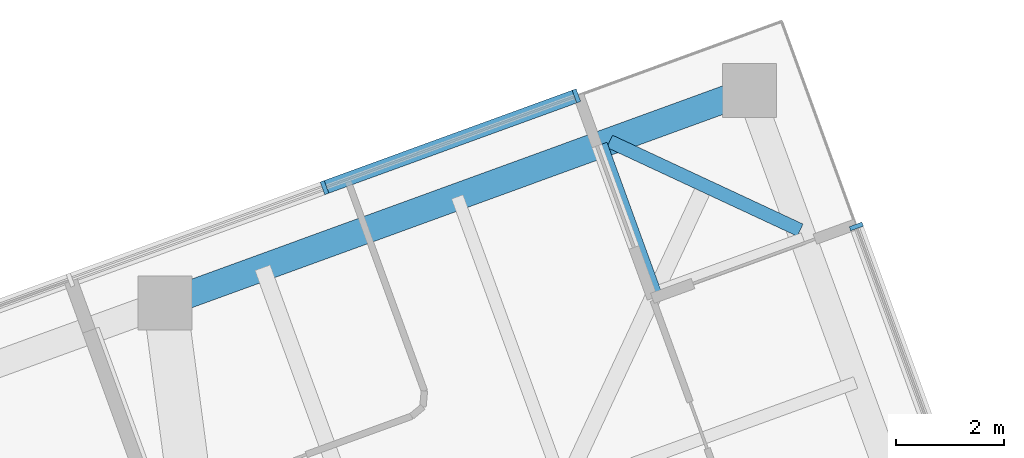
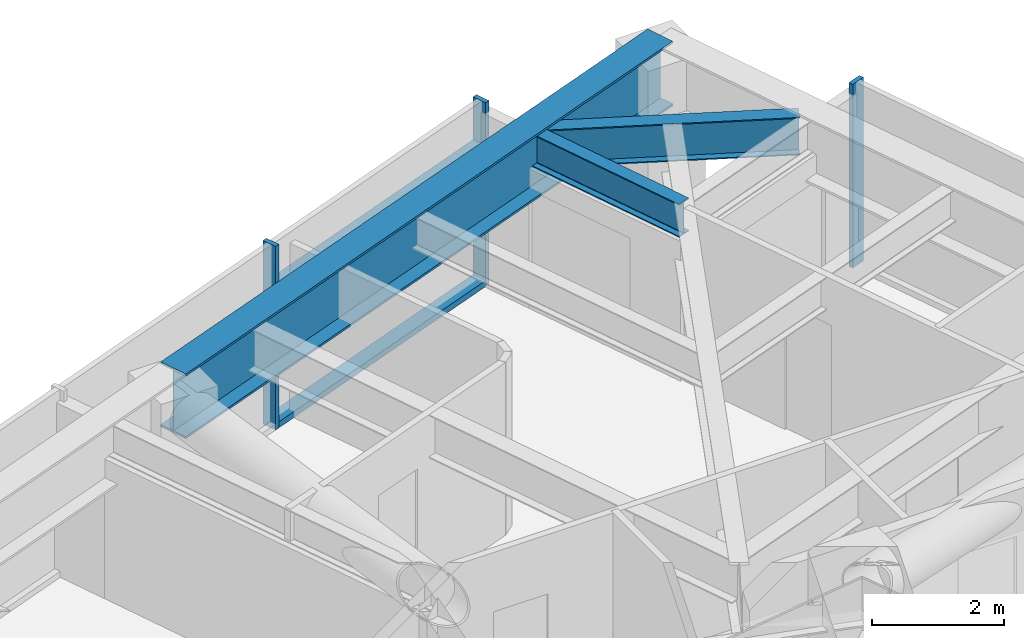
# One storey, part 7 of 16: 5 members, 3 beams, 2 elements without a shape of their own.
"""IFC4 building model written with IfcOpenShell, lengths in metres."""

from ifc_helpers import new_model, si_unit, direction, frame, origin, origin_2d, place, context, subcontext, project, spatial, rectangle, i_section, extrude, material, material_profile, profile_set, type_object, element, aggregate, save


model = new_model("IFC4")

# Units and contexts
model_context = context("Model", 3, precision=1e-05, world=origin(), true_north=direction((0.0, 1.0)))
body_context = subcontext(model_context, "Body", "Model", "MODEL_VIEW")
ifc_project = project(units=[si_unit("LENGTHUNIT", "METRE"), si_unit("AREAUNIT", "SQUARE_METRE"), si_unit("VOLUMEUNIT", "CUBIC_METRE"), si_unit("PLANEANGLEUNIT", "RADIAN"), si_unit("MASSUNIT", "GRAM", prefix="KILO")], contexts=[model_context])

# Site, building, storey
site_placement = place(None, origin())
site = spatial("IfcSite", under=ifc_project, at=site_placement, CompositionType="ELEMENT")
building_placement = place(site_placement, origin())
building = spatial("IfcBuilding", under=site, at=building_placement, Name="Torsade Residences", CompositionType="ELEMENT")
storey_placement = place(building_placement, frame((0.0, 0.0, 167.60009765625)))
storey = spatial("IfcBuildingStorey", under=building, at=storey_placement, Name="L46", CompositionType="ELEMENT", Elevation=167.60009765625)

# Beam
ifc_material_1 = material(Name="Steel grade 300", Category="steel")
ifc_material_profile_1 = material_profile(ifc_material_1, i_section(OverallWidth=0.25, OverallDepth=0.699951171875, WebThickness=0.010009765625, FlangeThickness=0.02001953125, at=origin_2d()), Name="700WB130")
ifc_profile_set_1 = profile_set([ifc_material_profile_1], Name="Steel grade 300")
beam_type_1 = type_object("IfcBeamType", Name="CORNER TRIMMER 700WB130", PredefinedType="BEAM", material=ifc_profile_set_1)
beam_1_placement = place(storey_placement, frame((51.162353515625, 58.538818359375, 2.849853515625), z_axis=(0.906309798645, -0.422613947806, 0.0), x_axis=(0.422613947806, 0.906309798645, 0.0)))
element("IfcBeam", 1, at=beam_1_placement, inside=storey, type_object=beam_type_1, Name="Corner trimmer 09 L47", PredefinedType="BEAM", context=body_context, shape_type="SweptSolid", body=[
    extrude(i_section(OverallWidth=0.25, OverallDepth=0.699951171875, WebThickness=0.010009765625, FlangeThickness=0.02001953125, at=origin_2d()), origin(), (0.0, 0.0, 1.0), 3.888916015625),
])

# Curtain wall, member
ifc_material_2 = material(Name="Aluminium and glass", Category="aluminium")
curtain_wall_type = type_object("IfcCurtainWallType", Name="FRITTED GLASS CURTAIN WALL MID ZONE", PredefinedType="NOTDEFINED", material=ifc_material_2)
curtain_wall_1_placement = place(storey_placement, origin())
curtain_wall_1 = element("IfcCurtainWall", 2, at=curtain_wall_1_placement, inside=storey, type_object=curtain_wall_type, Name="Curtain wall L46 face 4", PredefinedType="NOTDEFINED")
ifc_material_3 = material(Name="Aluminium mullion", Category="aluminium")
ifc_material_profile_2 = material_profile(ifc_material_3, rectangle(XDim=0.25, YDim=0.080078125, at=origin_2d()), Name="MID ZONE CURTAIN WALL MULLION 250x80")
ifc_profile_set_2 = profile_set([ifc_material_profile_2], Name="Aluminium mullion")
member_type_1 = type_object("IfcMemberType", Name="MID ZONE CURTAIN WALL MULLION 250x80", PredefinedType="MULLION", material=ifc_profile_set_2)
member_1_placement = place(storey_placement, frame((55.725830078125, 56.96484375, 0.0), z_axis=(0.0, 0.0, 1.0), x_axis=(-0.939692619132, -0.342020147869, 0.0)))
member_1 = element("IfcMember", 3, at=member_1_placement, type_object=member_type_1, Name="Mullion 9", PredefinedType="MULLION", context=body_context, shape_type="SweptSolid", body=[
    extrude(rectangle(XDim=0.25, YDim=0.080078125, at=origin_2d()), origin(), (0.0, 0.0, 1.0), 3.39990234375),
])
aggregate(curtain_wall_1, [member_1])

# Curtain wall, members
curtain_wall_2_placement = place(storey_placement, origin())
curtain_wall_2 = element("IfcCurtainWall", 4, at=curtain_wall_2_placement, inside=storey, type_object=curtain_wall_type, Name="Curtain wall L46 face 7", PredefinedType="NOTDEFINED")
member_2_placement = place(storey_placement, frame((50.5478515625, 59.37939453125, 0.0), z_axis=(0.0, 0.0, 1.0), x_axis=(0.342020147869, -0.939692619132, 0.0)))
member_2 = element("IfcMember", 5, at=member_2_placement, type_object=member_type_1, Name="Mullion 1", PredefinedType="MULLION", context=body_context, shape_type="SweptSolid", body=[
    extrude(rectangle(XDim=0.25, YDim=0.080078125, at=origin_2d()), origin(), (0.0, 0.0, 1.0), 3.39990234375),
])
member_3_placement = place(storey_placement, frame((45.886962890625, 57.682861328125, 0.0), z_axis=(0.0, 0.0, 1.0), x_axis=(0.342020147869, -0.939692619132, 0.0)))
member_3 = element("IfcMember", 6, at=member_3_placement, type_object=member_type_1, Name="Mullion 2", PredefinedType="MULLION", context=body_context, shape_type="SweptSolid", body=[
    extrude(rectangle(XDim=0.25, YDim=0.080078125, at=origin_2d()), origin(), (0.0, 0.0, 1.0), 3.39990234375),
])
ifc_material_4 = material(Name="Aluminium transom", Category="aluminium")
ifc_material_profile_3 = material_profile(ifc_material_4, rectangle(XDim=0.25, YDim=0.110107421875, at=origin_2d()), Name="MID ZONE CURTAIN WALL TRANSOM 250x110")
ifc_profile_set_3 = profile_set([ifc_material_profile_3], Name="Aluminium transom")
member_type_2 = type_object("IfcMemberType", Name="MID ZONE CURTAIN WALL TRANSOM 250x110", PredefinedType="USERDEFINED", material=ifc_profile_set_3)
member_4_placement = place(storey_placement, frame((50.51025390625, 59.36572265625, 0.054931640625), z_axis=(-0.939683823915, -0.342044311564, 0.0), x_axis=(0.342044311564, -0.939683823915, 0.0)))
member_4 = element("IfcMember", 7, at=member_4_placement, type_object=member_type_2, Name="Transom 1.1", ObjectType="TRANSOM", PredefinedType="USERDEFINED", context=body_context, shape_type="SweptSolid", body=[
    extrude(rectangle(XDim=0.25, YDim=0.110107421875, at=origin_2d()), origin(), (0.0, 0.0, 1.0), 4.880126953125),
])
member_5_placement = place(storey_placement, frame((50.51025390625, 59.36572265625, 2.554931640625), z_axis=(-0.939683823915, -0.342044311564, 0.0), x_axis=(0.342044311564, -0.939683823915, 0.0)))
member_5 = element("IfcMember", 8, at=member_5_placement, type_object=member_type_2, Name="Transom 1.2", ObjectType="TRANSOM", PredefinedType="USERDEFINED", context=body_context, shape_type="SweptSolid", body=[
    extrude(rectangle(XDim=0.25, YDim=0.110107421875, at=origin_2d()), origin(), (0.0, 0.0, 1.0), 4.880126953125),
])
aggregate(curtain_wall_2, [member_2, member_3, member_4, member_5])

# Beams
ifc_material_5 = material(Name="Steel grade 300", Category="steel")
ifc_material_profile_4 = material_profile(ifc_material_5, i_section(OverallWidth=0.22900390625, OverallDepth=0.612060546875, WebThickness=0.011962890625, FlangeThickness=0.01953125, FilletRadius=0.013916015625, at=origin_2d()), Name="610UB125")
ifc_profile_set_4 = profile_set([ifc_material_profile_4], Name="Steel grade 300")
beam_type_2 = type_object("IfcBeamType", Name="SECONDARY BEAM 610UB125", PredefinedType="JOIST", material=ifc_profile_set_4)
beam_2_placement = place(storey_placement, frame((51.005615234375, 58.48193359375, 2.893798828125), z_axis=(0.341998427281, -0.939700524495, 0.0), x_axis=(0.939700524495, 0.341998427281, 0.0)))
element("IfcBeam", 9, at=beam_2_placement, inside=storey, type_object=beam_type_2, Name="Floor beam FN01 L47", PredefinedType="JOIST", context=body_context, shape_type="SweptSolid", body=[
    extrude(i_section(OverallWidth=0.22900390625, OverallDepth=0.612060546875, WebThickness=0.011962890625, FlangeThickness=0.01953125, FilletRadius=0.013916015625, at=origin_2d()), origin(), (0.0, 0.0, 1.0), 2.916748046875),
])
ifc_material_6 = material(Name="Steel grade 300", Category="steel")
ifc_material_profile_5 = material_profile(ifc_material_6, i_section(OverallWidth=0.5, OverallDepth=1.199951171875, WebThickness=0.01611328125, FlangeThickness=0.0400390625, at=origin_2d()), Name="1200WB455")
ifc_profile_set_5 = profile_set([ifc_material_profile_5], Name="Steel grade 300")
beam_type_3 = type_object("IfcBeamType", Name="TRANSFER TRUSS CHORD 1200WB455", PredefinedType="USERDEFINED", material=ifc_profile_set_5)
beam_3_placement = place(storey_placement, frame((53.74658203125, 59.4794921875, 2.7998046875), z_axis=(-0.93969110915, -0.342024296483, 0.0), x_axis=(0.342024296483, -0.93969110915, 0.0)))
element("IfcBeam", 10, at=beam_3_placement, inside=storey, type_object=beam_type_3, Name="Transfer truss TT5 bottom chord 09", ObjectType="TRANSFER TRUSS CHORD", PredefinedType="USERDEFINED", context=body_context, shape_type="SweptSolid", body=[
    extrude(i_section(OverallWidth=0.5, OverallDepth=1.199951171875, WebThickness=0.01611328125, FlangeThickness=0.0400390625, at=origin_2d()), origin(), (0.0, 0.0, 1.0), 11.500244140625),
])

save(model, "model.ifc")
